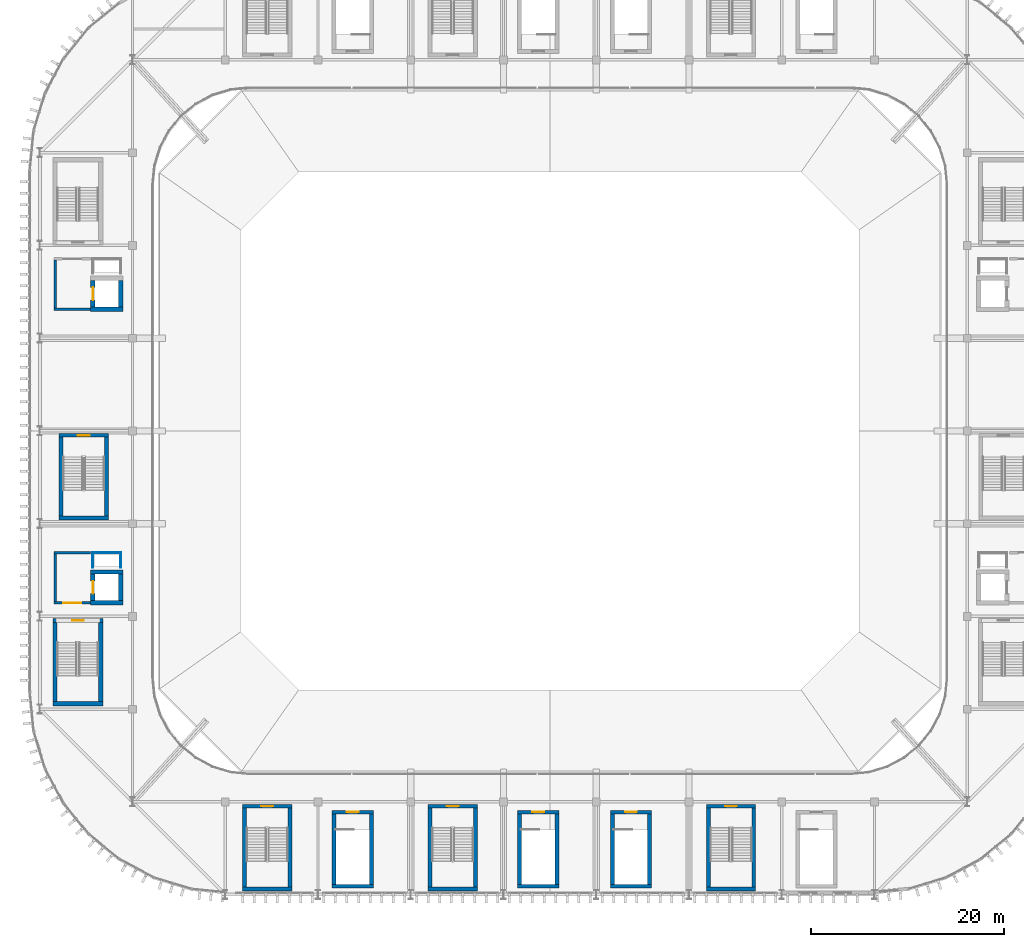
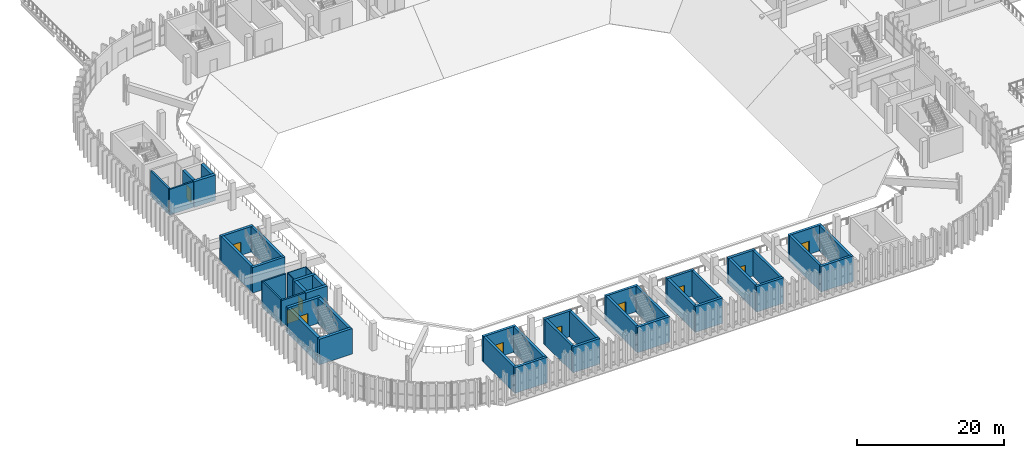
# One storey, part 41 of 69: 47 walls, 11 doors, 11 openings.
"""IFC4 building model written with IfcOpenShell, lengths in metres."""

from ifc_helpers import new_model, si_unit, direction, frame, frame_2d, origin, place, context, subcontext, project, spatial, rectangle, extrude, material, layer, layer_set, type_object, element, fill, save


model = new_model("IFC4")

# Units and contexts
model_context = context("Model", 3, precision=1e-05, world=origin(), true_north=direction((0.0, 1.0)))
body_context = subcontext(model_context, "Body", "Model", "MODEL_VIEW")
ifc_project = project(units=[si_unit("LENGTHUNIT", "METRE"), si_unit("AREAUNIT", "SQUARE_METRE"), si_unit("VOLUMEUNIT", "CUBIC_METRE"), si_unit("PLANEANGLEUNIT", "RADIAN"), si_unit("MASSUNIT", "GRAM", prefix="KILO")], contexts=[model_context])

# Site, building, storey
site_placement = place(None, origin())
site = spatial("IfcSite", under=ifc_project, at=site_placement, CompositionType="ELEMENT")
building_placement = place(site_placement, origin())
building = spatial("IfcBuilding", under=site, at=building_placement, Name="Caelomonte Colonnade Arena", CompositionType="ELEMENT")
storey_placement = place(building_placement, frame((0.0, 0.0, 18.60009765625)))
storey = spatial("IfcBuildingStorey", under=building, at=storey_placement, Name="L04", CompositionType="ELEMENT", Elevation=18.60009765625)

# Wall, opening, door
ifc_material_1 = material(Name="Concrete C40/50", Category="concrete")
ifc_layer_1 = layer(ifc_material_1, 0.260009765625)
ifc_layer_set_1 = layer_set([ifc_layer_1], Name="Concrete C40/50")
wall_type_1 = type_object("IfcWallType", Name="INT-WL-FW26", PredefinedType="SOLIDWALL", material=ifc_layer_set_1)
wall_1_placement = place(storey_placement, frame((59.070068359375, 49.39990234375, 0.0), z_axis=(0.0, 0.0, 1.0), x_axis=(1.0, 0.0, 0.0)))
wall_1 = element("IfcWall", 1, at=wall_1_placement, inside=storey, type_object=wall_type_1, Name="FW-C1-LB L04 south enclosure wall", PredefinedType="SOLIDWALL", context=body_context, shape_type="SweptSolid", body=[
    extrude(rectangle(XDim=3.760009765625, YDim=0.260009765625, at=frame_2d((1.8798828125, 0.0))), origin(), (0.0, 0.0, 1.0), 4.239990234375),
])
opening_1_placement = place(wall_1_placement, frame((2.80517578125, 0.0, 0.0), z_axis=(0.0, 0.0, 1.0), x_axis=(-1.0, 0.0, 0.0)))
opening_1 = element("IfcOpeningElement", 2, at=opening_1_placement, cuts=wall_1, Name="Opening FD-2", PredefinedType="OPENING", context=body_context, shape_type="SweptSolid", body=[
    extrude(rectangle(XDim=1.85009765625, YDim=2.25, at=frame_2d((0.925048828125, 1.125))), frame((0.0, 0.139892578125, 0.0), z_axis=(0.0, -1.0, 0.0), x_axis=(1.0, 0.0, 0.0)), (0.0, 0.0, 1.0), 0.280029296875),
])
ifc_material_2 = material(Name="Fire-rated double steel door", Category="steel")
door_type_1 = type_object("IfcDoorType", Name="INT-DR-FD90B", OperationType="DOUBLE_DOOR_SINGLE_SWING", PredefinedType="DOOR", material=ifc_material_2)
door_1_placement = place(opening_1_placement, origin())
door_1 = element("IfcDoor", 3, at=door_1_placement, inside=storey, type_object=door_type_1, Name="Core C1 L04 lobby fire door", OperationType="DOUBLE_DOOR_SINGLE_SWING", OverallHeight=2.25, OverallWidth=1.85009765625, PredefinedType="DOOR", context=body_context, shape_type="SweptSolid", body=[
    extrude(rectangle(XDim=1.85009765625, YDim=2.25, at=frame_2d((0.925048828125, 1.125))), frame((0.0, 0.02490234375, 0.0), z_axis=(0.0, -1.0, 0.0), x_axis=(1.0, 0.0, 0.0)), (0.0, 0.0, 1.0), 0.050048828125),
])
fill(opening_1, door_1)

# Walls
wall_2_placement = place(storey_placement, frame((62.830078125, 54.60009765625, 0.0), z_axis=(0.0, 0.0, 1.0), x_axis=(-1.0, 0.0, 0.0)))
element("IfcWall", 4, at=wall_2_placement, inside=storey, type_object=wall_type_1, Name="FW-C1-LB L04 north enclosure wall", PredefinedType="SOLIDWALL", context=body_context, shape_type="SweptSolid", body=[
    extrude(rectangle(XDim=3.760009765625, YDim=0.260009765625, at=frame_2d((1.8798828125, 0.0))), origin(), (0.0, 0.0, 1.0), 4.239990234375),
])
wall_3_placement = place(storey_placement, frame((59.199951171875, 54.469970703125, 0.0), z_axis=(0.0, 0.0, 1.0), x_axis=(0.0, -1.0, 0.0)))
element("IfcWall", 5, at=wall_3_placement, inside=storey, type_object=wall_type_1, Name="FW-C1-LB L04 west enclosure wall", PredefinedType="SOLIDWALL", context=body_context, shape_type="SweptSolid", body=[
    extrude(rectangle(XDim=4.93994140625, YDim=0.260009765625, at=frame_2d((2.469970703125, 0.0))), origin(), (0.0, 0.0, 1.0), 4.239990234375),
])
wall_4_placement = place(storey_placement, frame((59.070068359375, 79.800048828125, 0.0), z_axis=(0.0, 0.0, 1.0), x_axis=(1.0, 0.0, 0.0)))
element("IfcWall", 6, at=wall_4_placement, inside=storey, type_object=wall_type_1, Name="FW-C4-LB L04 south enclosure wall", PredefinedType="SOLIDWALL", context=body_context, shape_type="SweptSolid", body=[
    extrude(rectangle(XDim=3.760009765625, YDim=0.260009765625, at=frame_2d((1.8798828125, 0.0))), origin(), (0.0, 0.0, 1.0), 4.239990234375),
])
wall_5_placement = place(storey_placement, frame((59.199951171875, 84.8701171875, 0.0), z_axis=(0.0, 0.0, 1.0), x_axis=(0.0, -1.0, 0.0)))
element("IfcWall", 7, at=wall_5_placement, inside=storey, type_object=wall_type_1, Name="FW-C4-LB L04 west enclosure wall", PredefinedType="SOLIDWALL", context=body_context, shape_type="SweptSolid", body=[
    extrude(rectangle(XDim=4.940185546875, YDim=0.260009765625, at=frame_2d((2.47021484375, 0.0))), origin(), (0.0, 0.0, 1.0), 4.239990234375),
])
ifc_material_3 = material(Name="Service shaft lining partition")
ifc_layer_2 = layer(ifc_material_3, 0.10009765625)
ifc_layer_set_2 = layer_set([ifc_layer_2], Name="Service shaft lining partition")
wall_type_2 = type_object("IfcWallType", Name="INT-WL-PT10", PredefinedType="PARTITIONING", material=ifc_layer_set_2)
wall_6_placement = place(storey_placement, frame((66.050048828125, 54.60009765625, 0.0), z_axis=(0.0, 0.0, 1.0), x_axis=(-1.0, 0.0, 0.0)))
element("IfcWall", 8, at=wall_6_placement, inside=storey, type_object=wall_type_2, Name="FW-C1-RS L04 north enclosure wall", PredefinedType="PARTITIONING", context=body_context, shape_type="SweptSolid", body=[
    extrude(rectangle(XDim=3.0, YDim=0.10009765625, at=frame_2d((1.5, 0.0))), origin(), (0.0, 0.0, 1.0), 4.239990234375),
])
for number, where, z_axis, x_axis, name in (
    (9, (63.10009765625, 54.550048828125, 0.0), (0.0, 0.0, 1.0), (0.0, -1.0, 0.0), "FW-C1-RS L04 west enclosure wall"),
    (10, (66.0, 53.050048828125, 0.0), (0.0, 0.0, 1.0), (0.0, 1.0, 0.0), "FW-C1-RS L04 east enclosure wall"),
):
    element("IfcWall", number, at=place(storey_placement, frame(where, z_axis=z_axis, x_axis=x_axis)), inside=storey, type_object=wall_type_2, Name=name, PredefinedType="PARTITIONING", context=body_context, shape_type="SweptSolid", body=[
        extrude(rectangle(XDim=1.5, YDim=0.10009765625, at=frame_2d((0.75, 0.0))), origin(), (0.0, 0.0, 1.0), 4.239990234375),
    ])
ifc_material_4 = material(Name="Concrete C50/60", Category="concrete")
ifc_layer_3 = layer(ifc_material_4, 0.39990234375)
ifc_layer_set_3 = layer_set([ifc_layer_3], Name="Concrete C50/60")
wall_type_3 = type_object("IfcWallType", Name="INT-WL-SH40", PredefinedType="SHEAR", material=ifc_layer_set_3)
wall_7_placement = place(storey_placement, frame((59.60009765625, 58.199951171875, 0.0), z_axis=(0.0, 0.0, 1.0), x_axis=(1.0, 0.0, 0.0)))
element("IfcWall", 11, at=wall_7_placement, inside=storey, type_object=wall_type_3, Name="CW-ST-09 L04 south enclosure wall", PredefinedType="SHEAR", context=body_context, shape_type="SweptSolid", body=[
    extrude(rectangle(XDim=5.099853515625, YDim=0.39990234375, at=frame_2d((2.5498046875, 0.0))), origin(), (0.0, 0.0, 1.0), 4.239990234375),
])

# Wall, opening, door
wall_8_placement = place(storey_placement, frame((64.699951171875, 66.75, 0.0), z_axis=(0.0, 0.0, 1.0), x_axis=(-1.0, 0.0, 0.0)))
wall_8 = element("IfcWall", 12, at=wall_8_placement, inside=storey, type_object=wall_type_3, Name="CW-ST-09 L04 north enclosure wall", PredefinedType="SHEAR", context=body_context, shape_type="SweptSolid", body=[
    extrude(rectangle(XDim=5.099853515625, YDim=0.39990234375, at=frame_2d((2.5498046875, 0.0))), origin(), (0.0, 0.0, 1.0), 4.239990234375),
])
opening_2_placement = place(wall_8_placement, frame((3.14990234375, 0.0, 0.0), z_axis=(0.0, 0.0, 1.0), x_axis=(-1.0, 0.0, 0.0)))
opening_2 = element("IfcOpeningElement", 13, at=opening_2_placement, cuts=wall_8, Name="Opening FD-1", PredefinedType="OPENING", context=body_context, shape_type="SweptSolid", body=[
    extrude(rectangle(XDim=1.199951171875, YDim=2.199951171875, at=frame_2d((0.60009765625, 1.10009765625))), frame((0.0, 0.2099609375, 0.0), z_axis=(0.0, -1.0, 0.0), x_axis=(1.0, 0.0, 0.0)), (0.0, 0.0, 1.0), 0.419921875),
])
ifc_material_5 = material(Name="Fire-rated steel door", Category="steel")
door_type_2 = type_object("IfcDoorType", Name="INT-DR-FD90A", OperationType="NOTDEFINED", PredefinedType="DOOR", material=ifc_material_5)
door_2_placement = place(opening_2_placement, origin())
door_2 = element("IfcDoor", 14, at=door_2_placement, inside=storey, type_object=door_type_2, Name="Protected exit stair ST-09 L04 fire door", OperationType="SINGLE_SWING_LEFT", OverallHeight=2.199951171875, OverallWidth=1.199951171875, PredefinedType="DOOR", context=body_context, shape_type="SweptSolid", body=[
    extrude(rectangle(XDim=1.199951171875, YDim=2.199951171875, at=frame_2d((0.60009765625, 1.10009765625))), frame((0.0, 0.02490234375, 0.0), z_axis=(0.0, -1.0, 0.0), x_axis=(1.0, 0.0, 0.0)), (0.0, 0.0, 1.0), 0.050048828125),
])
fill(opening_2, door_2)

# Walls
for number, where, z_axis, x_axis, name in (
    (15, (59.800048828125, 66.550048828125, 0.0), (0.0, 0.0, 1.0), (0.0, -1.0, 0.0), "CW-ST-09 L04 west enclosure wall"),
    (16, (64.5, 58.39990234375, 0.0), (0.0, 0.0, 1.0), (0.0, 1.0, 0.0), "CW-ST-09 L04 east enclosure wall"),
):
    element("IfcWall", number, at=place(storey_placement, frame(where, z_axis=z_axis, x_axis=x_axis)), inside=storey, type_object=wall_type_3, Name=name, PredefinedType="SHEAR", context=body_context, shape_type="SweptSolid", body=[
        extrude(rectangle(XDim=8.150146484375, YDim=0.39990234375, at=frame_2d((4.0751953125, 0.0))), origin(), (0.0, 0.0, 1.0), 4.239990234375),
    ])
wall_9_placement = place(storey_placement, frame((78.60009765625, 19.800048828125, 0.0), z_axis=(0.0, 0.0, 1.0), x_axis=(1.0, 0.0, 0.0)))
element("IfcWall", 17, at=wall_9_placement, inside=storey, type_object=wall_type_3, Name="CW-ST-11 L04 south enclosure wall", PredefinedType="SHEAR", context=body_context, shape_type="SweptSolid", body=[
    extrude(rectangle(XDim=5.099853515625, YDim=0.39990234375, at=frame_2d((2.5498046875, 0.0))), origin(), (0.0, 0.0, 1.0), 4.239990234375),
])

# Wall, opening, door
wall_10_placement = place(storey_placement, frame((83.699951171875, 28.35009765625, 0.0), z_axis=(0.0, 0.0, 1.0), x_axis=(-1.0, 0.0, 0.0)))
wall_10 = element("IfcWall", 18, at=wall_10_placement, inside=storey, type_object=wall_type_3, Name="CW-ST-11 L04 north enclosure wall", PredefinedType="SHEAR", context=body_context, shape_type="SweptSolid", body=[
    extrude(rectangle(XDim=5.099853515625, YDim=0.39990234375, at=frame_2d((2.5498046875, 0.0))), origin(), (0.0, 0.0, 1.0), 4.239990234375),
])
opening_3_placement = place(wall_10_placement, frame((3.14990234375, 0.0, 0.0), z_axis=(0.0, 0.0, 1.0), x_axis=(-1.0, 0.0, 0.0)))
opening_3 = element("IfcOpeningElement", 19, at=opening_3_placement, cuts=wall_10, Name="Opening FD-1", PredefinedType="OPENING", context=body_context, shape_type="SweptSolid", body=[
    extrude(rectangle(XDim=1.199951171875, YDim=2.199951171875, at=frame_2d((0.60009765625, 1.10009765625))), frame((0.0, 0.2099609375, 0.0), z_axis=(0.0, -1.0, 0.0), x_axis=(1.0, 0.0, 0.0)), (0.0, 0.0, 1.0), 0.419921875),
])
door_3_placement = place(opening_3_placement, origin())
door_3 = element("IfcDoor", 20, at=door_3_placement, inside=storey, type_object=door_type_2, Name="Protected exit stair ST-11 L04 fire door", OperationType="SINGLE_SWING_LEFT", OverallHeight=2.199951171875, OverallWidth=1.199951171875, PredefinedType="DOOR", context=body_context, shape_type="SweptSolid", body=[
    extrude(rectangle(XDim=1.199951171875, YDim=2.199951171875, at=frame_2d((0.60009765625, 1.10009765625))), frame((0.0, 0.02490234375, 0.0), z_axis=(0.0, -1.0, 0.0), x_axis=(1.0, 0.0, 0.0)), (0.0, 0.0, 1.0), 0.050048828125),
])
fill(opening_3, door_3)

# Walls
for number, where, z_axis, x_axis, name in (
    (21, (78.800048828125, 28.14990234375, 0.0), (0.0, 0.0, 1.0), (0.0, -1.0, 0.0), "CW-ST-11 L04 west enclosure wall"),
    (22, (83.5, 20.0, 0.0), (0.0, 0.0, 1.0), (0.0, 1.0, 0.0), "CW-ST-11 L04 east enclosure wall"),
):
    element("IfcWall", number, at=place(storey_placement, frame(where, z_axis=z_axis, x_axis=x_axis)), inside=storey, type_object=wall_type_3, Name=name, PredefinedType="SHEAR", context=body_context, shape_type="SweptSolid", body=[
        extrude(rectangle(XDim=8.14990234375, YDim=0.39990234375, at=frame_2d((4.074951171875, 0.0))), origin(), (0.0, 0.0, 1.0), 4.239990234375),
    ])
wall_11_placement = place(storey_placement, frame((97.800048828125, 19.800048828125, 0.0), z_axis=(0.0, 0.0, 1.0), x_axis=(1.0, 0.0, 0.0)))
element("IfcWall", 23, at=wall_11_placement, inside=storey, type_object=wall_type_3, Name="CW-ST-12 L04 south enclosure wall", PredefinedType="SHEAR", context=body_context, shape_type="SweptSolid", body=[
    extrude(rectangle(XDim=5.099853515625, YDim=0.39990234375, at=frame_2d((2.5498046875, 0.0))), origin(), (0.0, 0.0, 1.0), 4.239990234375),
])

# Wall, opening, door
wall_12_placement = place(storey_placement, frame((102.89990234375, 28.35009765625, 0.0), z_axis=(0.0, 0.0, 1.0), x_axis=(-1.0, 0.0, 0.0)))
wall_12 = element("IfcWall", 24, at=wall_12_placement, inside=storey, type_object=wall_type_3, Name="CW-ST-12 L04 north enclosure wall", PredefinedType="SHEAR", context=body_context, shape_type="SweptSolid", body=[
    extrude(rectangle(XDim=5.099853515625, YDim=0.39990234375, at=frame_2d((2.5498046875, 0.0))), origin(), (0.0, 0.0, 1.0), 4.239990234375),
])
opening_4_placement = place(wall_12_placement, frame((3.14990234375, 0.0, 0.0), z_axis=(0.0, 0.0, 1.0), x_axis=(-1.0, 0.0, 0.0)))
opening_4 = element("IfcOpeningElement", 25, at=opening_4_placement, cuts=wall_12, Name="Opening FD-1", PredefinedType="OPENING", context=body_context, shape_type="SweptSolid", body=[
    extrude(rectangle(XDim=1.199951171875, YDim=2.199951171875, at=frame_2d((0.60009765625, 1.10009765625))), frame((0.0, 0.2099609375, 0.0), z_axis=(0.0, -1.0, 0.0), x_axis=(1.0, 0.0, 0.0)), (0.0, 0.0, 1.0), 0.419921875),
])
door_4_placement = place(opening_4_placement, origin())
door_4 = element("IfcDoor", 26, at=door_4_placement, inside=storey, type_object=door_type_2, Name="Protected exit stair ST-12 L04 fire door", OperationType="SINGLE_SWING_RIGHT", OverallHeight=2.199951171875, OverallWidth=1.199951171875, PredefinedType="DOOR", context=body_context, shape_type="SweptSolid", body=[
    extrude(rectangle(XDim=1.199951171875, YDim=2.199951171875, at=frame_2d((0.60009765625, 1.10009765625))), frame((0.0, 0.02490234375, 0.0), z_axis=(0.0, -1.0, 0.0), x_axis=(1.0, 0.0, 0.0)), (0.0, 0.0, 1.0), 0.050048828125),
])
fill(opening_4, door_4)

# Walls
for number, where, z_axis, x_axis, name in (
    (27, (98.0, 28.14990234375, 0.0), (0.0, 0.0, 1.0), (0.0, -1.0, 0.0), "CW-ST-12 L04 west enclosure wall"),
    (28, (102.699951171875, 20.0, 0.0), (0.0, 0.0, 1.0), (0.0, 1.0, 0.0), "CW-ST-12 L04 east enclosure wall"),
):
    element("IfcWall", number, at=place(storey_placement, frame(where, z_axis=z_axis, x_axis=x_axis)), inside=storey, type_object=wall_type_3, Name=name, PredefinedType="SHEAR", context=body_context, shape_type="SweptSolid", body=[
        extrude(rectangle(XDim=8.14990234375, YDim=0.39990234375, at=frame_2d((4.074951171875, 0.0))), origin(), (0.0, 0.0, 1.0), 4.239990234375),
    ])
wall_13_placement = place(storey_placement, frame((126.60009765625, 19.800048828125, 0.0), z_axis=(0.0, 0.0, 1.0), x_axis=(1.0, 0.0, 0.0)))
element("IfcWall", 29, at=wall_13_placement, inside=storey, type_object=wall_type_3, Name="CW-ST-13 L04 south enclosure wall", PredefinedType="SHEAR", context=body_context, shape_type="SweptSolid", body=[
    extrude(rectangle(XDim=5.099853515625, YDim=0.39990234375, at=frame_2d((2.5498046875, 0.0))), origin(), (0.0, 0.0, 1.0), 4.239990234375),
])

# Wall, opening, door
wall_14_placement = place(storey_placement, frame((131.699951171875, 28.35009765625, 0.0), z_axis=(0.0, 0.0, 1.0), x_axis=(-1.0, 0.0, 0.0)))
wall_14 = element("IfcWall", 30, at=wall_14_placement, inside=storey, type_object=wall_type_3, Name="CW-ST-13 L04 north enclosure wall", PredefinedType="SHEAR", context=body_context, shape_type="SweptSolid", body=[
    extrude(rectangle(XDim=5.099853515625, YDim=0.39990234375, at=frame_2d((2.5498046875, 0.0))), origin(), (0.0, 0.0, 1.0), 4.239990234375),
])
opening_5_placement = place(wall_14_placement, frame((3.14990234375, 0.0, 0.0), z_axis=(0.0, 0.0, 1.0), x_axis=(-1.0, 0.0, 0.0)))
opening_5 = element("IfcOpeningElement", 31, at=opening_5_placement, cuts=wall_14, Name="Opening FD-1", PredefinedType="OPENING", context=body_context, shape_type="SweptSolid", body=[
    extrude(rectangle(XDim=1.199951171875, YDim=2.199951171875, at=frame_2d((0.60009765625, 1.10009765625))), frame((0.0, 0.2099609375, 0.0), z_axis=(0.0, -1.0, 0.0), x_axis=(1.0, 0.0, 0.0)), (0.0, 0.0, 1.0), 0.419921875),
])
door_5_placement = place(opening_5_placement, origin())
door_5 = element("IfcDoor", 32, at=door_5_placement, inside=storey, type_object=door_type_2, Name="Protected exit stair ST-13 L04 fire door", OperationType="SINGLE_SWING_LEFT", OverallHeight=2.199951171875, OverallWidth=1.199951171875, PredefinedType="DOOR", context=body_context, shape_type="SweptSolid", body=[
    extrude(rectangle(XDim=1.199951171875, YDim=2.199951171875, at=frame_2d((0.60009765625, 1.10009765625))), frame((0.0, 0.02490234375, 0.0), z_axis=(0.0, -1.0, 0.0), x_axis=(1.0, 0.0, 0.0)), (0.0, 0.0, 1.0), 0.050048828125),
])
fill(opening_5, door_5)

# Walls
for number, where, z_axis, x_axis, name in (
    (33, (126.800048828125, 28.14990234375, 0.0), (0.0, 0.0, 1.0), (0.0, -1.0, 0.0), "CW-ST-13 L04 west enclosure wall"),
    (34, (131.5, 20.0, 0.0), (0.0, 0.0, 1.0), (0.0, 1.0, 0.0), "CW-ST-13 L04 east enclosure wall"),
):
    element("IfcWall", number, at=place(storey_placement, frame(where, z_axis=z_axis, x_axis=x_axis)), inside=storey, type_object=wall_type_3, Name=name, PredefinedType="SHEAR", context=body_context, shape_type="SweptSolid", body=[
        extrude(rectangle(XDim=8.14990234375, YDim=0.39990234375, at=frame_2d((4.074951171875, 0.0))), origin(), (0.0, 0.0, 1.0), 4.239990234375),
    ])
wall_15_placement = place(storey_placement, frame((87.8701171875, 20.070068359375, 0.0), z_axis=(0.0, 0.0, 1.0), x_axis=(1.0, 0.0, 0.0)))
element("IfcWall", 35, at=wall_15_placement, inside=storey, type_object=wall_type_3, Name="CW-ST-V09 L04 south enclosure wall", PredefinedType="SHEAR", context=body_context, shape_type="SweptSolid", body=[
    extrude(rectangle(XDim=4.259765625, YDim=0.39990234375, at=frame_2d((2.1298828125, 0.0))), origin(), (0.0, 0.0, 1.0), 4.239990234375),
])

# Wall, opening, door
wall_16_placement = place(storey_placement, frame((92.1298828125, 27.72998046875, 0.0), z_axis=(0.0, 0.0, 1.0), x_axis=(-1.0, 0.0, 0.0)))
wall_16 = element("IfcWall", 36, at=wall_16_placement, inside=storey, type_object=wall_type_3, Name="CW-ST-V09 L04 north enclosure wall", PredefinedType="SHEAR", context=body_context, shape_type="SweptSolid", body=[
    extrude(rectangle(XDim=4.259765625, YDim=0.39990234375, at=frame_2d((2.1298828125, 0.0))), origin(), (0.0, 0.0, 1.0), 4.239990234375),
])
opening_6_placement = place(wall_16_placement, frame((2.72998046875, 0.0, 0.0), z_axis=(0.0, 0.0, 1.0), x_axis=(-1.0, 0.0, 0.0)))
opening_6 = element("IfcOpeningElement", 37, at=opening_6_placement, cuts=wall_16, Name="Opening FD-1", PredefinedType="OPENING", context=body_context, shape_type="SweptSolid", body=[
    extrude(rectangle(XDim=1.199951171875, YDim=2.199951171875, at=frame_2d((0.60009765625, 1.10009765625))), frame((0.0, 0.2099609375, 0.0), z_axis=(0.0, -1.0, 0.0), x_axis=(1.0, 0.0, 0.0)), (0.0, 0.0, 1.0), 0.419921875),
])
door_6_placement = place(opening_6_placement, origin())
door_6 = element("IfcDoor", 38, at=door_6_placement, inside=storey, type_object=door_type_2, Name="Vomitory VOM-09 stair ST-V09 L04 portal door", OperationType="SINGLE_SWING_LEFT", OverallHeight=2.199951171875, OverallWidth=1.199951171875, PredefinedType="DOOR", context=body_context, shape_type="SweptSolid", body=[
    extrude(rectangle(XDim=1.199951171875, YDim=2.199951171875, at=frame_2d((0.60009765625, 1.10009765625))), frame((0.0, 0.02490234375, 0.0), z_axis=(0.0, -1.0, 0.0), x_axis=(1.0, 0.0, 0.0)), (0.0, 0.0, 1.0), 0.050048828125),
])
fill(opening_6, door_6)

# Walls
for number, where, z_axis, x_axis, name in (
    (39, (88.070068359375, 27.530029296875, 0.0), (0.0, 0.0, 1.0), (0.0, -1.0, 0.0), "CW-ST-V09 L04 west enclosure wall"),
    (40, (91.929931640625, 20.27001953125, 0.0), (0.0, 0.0, 1.0), (0.0, 1.0, 0.0), "CW-ST-V09 L04 east enclosure wall"),
):
    element("IfcWall", number, at=place(storey_placement, frame(where, z_axis=z_axis, x_axis=x_axis)), inside=storey, type_object=wall_type_3, Name=name, PredefinedType="SHEAR", context=body_context, shape_type="SweptSolid", body=[
        extrude(rectangle(XDim=7.260009765625, YDim=0.39990234375, at=frame_2d((3.6298828125, 0.0))), origin(), (0.0, 0.0, 1.0), 4.239990234375),
    ])
wall_17_placement = place(storey_placement, frame((107.070068359375, 20.070068359375, 0.0), z_axis=(0.0, 0.0, 1.0), x_axis=(1.0, 0.0, 0.0)))
element("IfcWall", 41, at=wall_17_placement, inside=storey, type_object=wall_type_3, Name="CW-ST-V10 L04 south enclosure wall", PredefinedType="SHEAR", context=body_context, shape_type="SweptSolid", body=[
    extrude(rectangle(XDim=4.260009765625, YDim=0.39990234375, at=frame_2d((2.1298828125, 0.0))), origin(), (0.0, 0.0, 1.0), 4.239990234375),
])

# Wall, opening, door
wall_18_placement = place(storey_placement, frame((111.330078125, 27.72998046875, 0.0), z_axis=(0.0, 0.0, 1.0), x_axis=(-1.0, 0.0, 0.0)))
wall_18 = element("IfcWall", 42, at=wall_18_placement, inside=storey, type_object=wall_type_3, Name="CW-ST-V10 L04 north enclosure wall", PredefinedType="SHEAR", context=body_context, shape_type="SweptSolid", body=[
    extrude(rectangle(XDim=4.260009765625, YDim=0.39990234375, at=frame_2d((2.1298828125, 0.0))), origin(), (0.0, 0.0, 1.0), 4.239990234375),
])
opening_7_placement = place(wall_18_placement, frame((2.72998046875, 0.0, 0.0), z_axis=(0.0, 0.0, 1.0), x_axis=(-1.0, 0.0, 0.0)))
opening_7 = element("IfcOpeningElement", 43, at=opening_7_placement, cuts=wall_18, Name="Opening FD-1", PredefinedType="OPENING", context=body_context, shape_type="SweptSolid", body=[
    extrude(rectangle(XDim=1.199951171875, YDim=2.199951171875, at=frame_2d((0.60009765625, 1.10009765625))), frame((0.0, 0.2099609375, 0.0), z_axis=(0.0, -1.0, 0.0), x_axis=(1.0, 0.0, 0.0)), (0.0, 0.0, 1.0), 0.419921875),
])
door_7_placement = place(opening_7_placement, origin())
door_7 = element("IfcDoor", 44, at=door_7_placement, inside=storey, type_object=door_type_2, Name="Vomitory VOM-10 stair ST-V10 L04 portal door", OperationType="SINGLE_SWING_LEFT", OverallHeight=2.199951171875, OverallWidth=1.199951171875, PredefinedType="DOOR", context=body_context, shape_type="SweptSolid", body=[
    extrude(rectangle(XDim=1.199951171875, YDim=2.199951171875, at=frame_2d((0.60009765625, 1.10009765625))), frame((0.0, 0.02490234375, 0.0), z_axis=(0.0, -1.0, 0.0), x_axis=(1.0, 0.0, 0.0)), (0.0, 0.0, 1.0), 0.050048828125),
])
fill(opening_7, door_7)

# Walls
for number, where, z_axis, x_axis, name in (
    (45, (107.27001953125, 27.530029296875, 0.0), (0.0, 0.0, 1.0), (0.0, -1.0, 0.0), "CW-ST-V10 L04 west enclosure wall"),
    (46, (111.1298828125, 20.27001953125, 0.0), (0.0, 0.0, 1.0), (0.0, 1.0, 0.0), "CW-ST-V10 L04 east enclosure wall"),
):
    element("IfcWall", number, at=place(storey_placement, frame(where, z_axis=z_axis, x_axis=x_axis)), inside=storey, type_object=wall_type_3, Name=name, PredefinedType="SHEAR", context=body_context, shape_type="SweptSolid", body=[
        extrude(rectangle(XDim=7.260009765625, YDim=0.39990234375, at=frame_2d((3.6298828125, 0.0))), origin(), (0.0, 0.0, 1.0), 4.239990234375),
    ])
wall_19_placement = place(storey_placement, frame((116.669921875, 20.070068359375, 0.0), z_axis=(0.0, 0.0, 1.0), x_axis=(1.0, 0.0, 0.0)))
element("IfcWall", 47, at=wall_19_placement, inside=storey, type_object=wall_type_3, Name="CW-ST-V11 L04 south enclosure wall", PredefinedType="SHEAR", context=body_context, shape_type="SweptSolid", body=[
    extrude(rectangle(XDim=4.260009765625, YDim=0.39990234375, at=frame_2d((2.1298828125, 0.0))), origin(), (0.0, 0.0, 1.0), 4.239990234375),
])

# Wall, opening, door
wall_20_placement = place(storey_placement, frame((120.929931640625, 27.72998046875, 0.0), z_axis=(0.0, 0.0, 1.0), x_axis=(-1.0, 0.0, 0.0)))
wall_20 = element("IfcWall", 48, at=wall_20_placement, inside=storey, type_object=wall_type_3, Name="CW-ST-V11 L04 north enclosure wall", PredefinedType="SHEAR", context=body_context, shape_type="SweptSolid", body=[
    extrude(rectangle(XDim=4.260009765625, YDim=0.39990234375, at=frame_2d((2.1298828125, 0.0))), origin(), (0.0, 0.0, 1.0), 4.239990234375),
])
opening_8_placement = place(wall_20_placement, frame((2.72998046875, 0.0, 0.0), z_axis=(0.0, 0.0, 1.0), x_axis=(-1.0, 0.0, 0.0)))
opening_8 = element("IfcOpeningElement", 49, at=opening_8_placement, cuts=wall_20, Name="Opening FD-1", PredefinedType="OPENING", context=body_context, shape_type="SweptSolid", body=[
    extrude(rectangle(XDim=1.199951171875, YDim=2.199951171875, at=frame_2d((0.60009765625, 1.10009765625))), frame((0.0, 0.2099609375, 0.0), z_axis=(0.0, -1.0, 0.0), x_axis=(1.0, 0.0, 0.0)), (0.0, 0.0, 1.0), 0.419921875),
])
door_8_placement = place(opening_8_placement, origin())
door_8 = element("IfcDoor", 50, at=door_8_placement, inside=storey, type_object=door_type_2, Name="Vomitory VOM-11 stair ST-V11 L04 portal door", OperationType="SINGLE_SWING_LEFT", OverallHeight=2.199951171875, OverallWidth=1.199951171875, PredefinedType="DOOR", context=body_context, shape_type="SweptSolid", body=[
    extrude(rectangle(XDim=1.199951171875, YDim=2.199951171875, at=frame_2d((0.60009765625, 1.10009765625))), frame((0.0, 0.02490234375, 0.0), z_axis=(0.0, -1.0, 0.0), x_axis=(1.0, 0.0, 0.0)), (0.0, 0.0, 1.0), 0.050048828125),
])
fill(opening_8, door_8)

# Walls
for number, where, z_axis, x_axis, name in (
    (51, (116.8701171875, 27.530029296875, 0.0), (0.0, 0.0, 1.0), (0.0, -1.0, 0.0), "CW-ST-V11 L04 west enclosure wall"),
    (52, (120.72998046875, 20.27001953125, 0.0), (0.0, 0.0, 1.0), (0.0, 1.0, 0.0), "CW-ST-V11 L04 east enclosure wall"),
):
    element("IfcWall", number, at=place(storey_placement, frame(where, z_axis=z_axis, x_axis=x_axis)), inside=storey, type_object=wall_type_3, Name=name, PredefinedType="SHEAR", context=body_context, shape_type="SweptSolid", body=[
        extrude(rectangle(XDim=7.260009765625, YDim=0.39990234375, at=frame_2d((3.6298828125, 0.0))), origin(), (0.0, 0.0, 1.0), 4.239990234375),
    ])
ifc_layer_4 = layer(ifc_material_4, 0.449951171875)
ifc_layer_set_4 = layer_set([ifc_layer_4], Name="Concrete C50/60")
wall_type_4 = type_object("IfcWallType", Name="INT-WL-SH45", PredefinedType="SHEAR", material=ifc_layer_set_4)
wall_21_placement = place(storey_placement, frame((58.949951171875, 38.97509765625, 0.0), z_axis=(0.0, 0.0, 1.0), x_axis=(1.0, 0.0, 0.0)))
element("IfcWall", 53, at=wall_21_placement, inside=storey, type_object=wall_type_4, Name="CW-C1-ST L04 south enclosure wall", PredefinedType="SHEAR", context=body_context, shape_type="SweptSolid", body=[
    extrude(rectangle(XDim=5.199951171875, YDim=0.449951171875, at=frame_2d((2.60009765625, 0.0))), origin(), (0.0, 0.0, 1.0), 4.239990234375),
])

# Wall, opening, door
wall_22_placement = place(storey_placement, frame((64.14990234375, 47.574951171875, 0.0), z_axis=(0.0, 0.0, 1.0), x_axis=(-1.0, 0.0, 0.0)))
wall_22 = element("IfcWall", 54, at=wall_22_placement, inside=storey, type_object=wall_type_4, Name="CW-C1-ST L04 north enclosure wall", PredefinedType="SHEAR", context=body_context, shape_type="SweptSolid", body=[
    extrude(rectangle(XDim=5.199951171875, YDim=0.449951171875, at=frame_2d((2.60009765625, 0.0))), origin(), (0.0, 0.0, 1.0), 4.239990234375),
])
opening_9_placement = place(wall_22_placement, frame((3.199951171875, 0.0, 0.0), z_axis=(0.0, 0.0, 1.0), x_axis=(-1.0, 0.0, 0.0)))
opening_9 = element("IfcOpeningElement", 55, at=opening_9_placement, cuts=wall_22, Name="Opening FD-1", PredefinedType="OPENING", context=body_context, shape_type="SweptSolid", body=[
    extrude(rectangle(XDim=1.199951171875, YDim=2.199951171875, at=frame_2d((0.60009765625, 1.10009765625))), frame((0.0, 0.23486328125, 0.0), z_axis=(0.0, -1.0, 0.0), x_axis=(1.0, 0.0, 0.0)), (0.0, 0.0, 1.0), 0.469970703125),
])
door_9_placement = place(opening_9_placement, origin())
door_9 = element("IfcDoor", 56, at=door_9_placement, inside=storey, type_object=door_type_2, Name="Core C1 L04 exit stair fire door", OperationType="SINGLE_SWING_LEFT", OverallHeight=2.199951171875, OverallWidth=1.199951171875, PredefinedType="DOOR", context=body_context, shape_type="SweptSolid", body=[
    extrude(rectangle(XDim=1.199951171875, YDim=2.199951171875, at=frame_2d((0.60009765625, 1.10009765625))), frame((0.0, 0.02490234375, 0.0), z_axis=(0.0, -1.0, 0.0), x_axis=(1.0, 0.0, 0.0)), (0.0, 0.0, 1.0), 0.050048828125),
])
fill(opening_9, door_9)

# Walls
for number, where, z_axis, x_axis, name in (
    (57, (59.175048828125, 47.35009765625, 0.0), (0.0, 0.0, 1.0), (0.0, -1.0, 0.0), "CW-C1-ST L04 west enclosure wall"),
    (58, (63.925048828125, 39.199951171875, 0.0), (0.0, 0.0, 1.0), (0.0, 1.0, 0.0), "CW-C1-ST L04 east enclosure wall"),
):
    element("IfcWall", number, at=place(storey_placement, frame(where, z_axis=z_axis, x_axis=x_axis)), inside=storey, type_object=wall_type_4, Name=name, PredefinedType="SHEAR", context=body_context, shape_type="SweptSolid", body=[
        extrude(rectangle(XDim=8.150146484375, YDim=0.449951171875, at=frame_2d((4.0751953125, 0.0))), origin(), (0.0, 0.0, 1.0), 4.239990234375),
    ])
for number, where, z_axis, x_axis, name in (
    (59, (62.875, 49.39990234375, 0.0), (0.0, 0.0, 1.0), (1.0, 0.0, 0.0), "CW-C1-LF L04 south enclosure wall"),
    (60, (66.22509765625, 52.60009765625, 0.0), (0.0, 0.0, 1.0), (-1.0, 0.0, 0.0), "CW-C1-LF L04 north enclosure wall"),
):
    element("IfcWall", number, at=place(storey_placement, frame(where, z_axis=z_axis, x_axis=x_axis)), inside=storey, type_object=wall_type_4, Name=name, PredefinedType="SHEAR", context=body_context, shape_type="SweptSolid", body=[
        extrude(rectangle(XDim=3.35009765625, YDim=0.449951171875, at=frame_2d((1.675048828125, 0.0))), origin(), (0.0, 0.0, 1.0), 4.239990234375),
    ])

# Wall, opening, door
wall_23_placement = place(storey_placement, frame((63.10009765625, 52.375, 0.0), z_axis=(0.0, 0.0, 1.0), x_axis=(0.0, -1.0, 0.0)))
wall_23 = element("IfcWall", 61, at=wall_23_placement, inside=storey, type_object=wall_type_4, Name="CW-C1-LF L04 west enclosure wall", PredefinedType="SHEAR", context=body_context, shape_type="SweptSolid", body=[
    extrude(rectangle(XDim=2.75, YDim=0.449951171875, at=frame_2d((1.375, 0.0))), origin(), (0.0, 0.0, 1.0), 4.239990234375),
])
opening_10_placement = place(wall_23_placement, frame((0.72509765625, 0.0, 0.0), z_axis=(0.0, 0.0, 1.0), x_axis=(1.0, 0.0, 0.0)))
opening_10 = element("IfcOpeningElement", 62, at=opening_10_placement, cuts=wall_23, Name="Opening LD-FL-01-L04", PredefinedType="OPENING", context=body_context, shape_type="SweptSolid", body=[
    extrude(rectangle(XDim=1.300048828125, YDim=2.25, at=frame_2d((0.64990234375, 1.125))), frame((0.0, 0.23486328125, 0.0), z_axis=(0.0, -1.0, 0.0), x_axis=(1.0, 0.0, 0.0)), (0.0, 0.0, 1.0), 0.469970703125),
])
ifc_material_6 = material(Name="Firefighting lift landing door")
door_type_3 = type_object("IfcDoorType", Name="INT-DR-LD2", OperationType="SLIDING_TO_RIGHT", PredefinedType="DOOR", material=ifc_material_6)
door_10_placement = place(opening_10_placement, origin())
door_10 = element("IfcDoor", 63, at=door_10_placement, inside=storey, type_object=door_type_3, Name="Lift FL-01 L04 sliding landing door", OperationType="SLIDING_TO_RIGHT", OverallHeight=2.25, OverallWidth=1.300048828125, PredefinedType="DOOR", context=body_context, shape_type="SweptSolid", body=[
    extrude(rectangle(XDim=1.300048828125, YDim=2.25, at=frame_2d((0.64990234375, 1.125))), frame((0.0, 0.02490234375, 0.0), z_axis=(0.0, -1.0, 0.0), x_axis=(1.0, 0.0, 0.0)), (0.0, 0.0, 1.0), 0.050048828125),
])
fill(opening_10, door_10)

# Walls
wall_24_placement = place(storey_placement, frame((66.0, 49.625, 0.0), z_axis=(0.0, 0.0, 1.0), x_axis=(0.0, 1.0, 0.0)))
element("IfcWall", 64, at=wall_24_placement, inside=storey, type_object=wall_type_4, Name="CW-C1-LF L04 east enclosure wall", PredefinedType="SHEAR", context=body_context, shape_type="SweptSolid", body=[
    extrude(rectangle(XDim=2.75, YDim=0.449951171875, at=frame_2d((1.375, 0.0))), origin(), (0.0, 0.0, 1.0), 4.239990234375),
])
wall_25_placement = place(storey_placement, frame((62.875, 79.800048828125, 0.0), z_axis=(0.0, 0.0, 1.0), x_axis=(1.0, 0.0, 0.0)))
element("IfcWall", 65, at=wall_25_placement, inside=storey, type_object=wall_type_4, Name="CW-C4-LF L04 south enclosure wall", PredefinedType="SHEAR", context=body_context, shape_type="SweptSolid", body=[
    extrude(rectangle(XDim=3.35009765625, YDim=0.449951171875, at=frame_2d((1.675048828125, 0.0))), origin(), (0.0, 0.0, 1.0), 4.239990234375),
])

# Wall, opening, door
wall_26_placement = place(storey_placement, frame((63.10009765625, 82.77490234375, 0.0), z_axis=(0.0, 0.0, 1.0), x_axis=(0.0, -1.0, 0.0)))
wall_26 = element("IfcWall", 66, at=wall_26_placement, inside=storey, type_object=wall_type_4, Name="CW-C4-LF L04 west enclosure wall", PredefinedType="SHEAR", context=body_context, shape_type="SweptSolid", body=[
    extrude(rectangle(XDim=2.75, YDim=0.449951171875, at=frame_2d((1.375, 0.0))), origin(), (0.0, 0.0, 1.0), 4.239990234375),
])
opening_11_placement = place(wall_26_placement, frame((0.72509765625, 0.0, 0.0), z_axis=(0.0, 0.0, 1.0), x_axis=(1.0, 0.0, 0.0)))
opening_11 = element("IfcOpeningElement", 67, at=opening_11_placement, cuts=wall_26, Name="Opening LD-FL-04-L04", PredefinedType="OPENING", context=body_context, shape_type="SweptSolid", body=[
    extrude(rectangle(XDim=1.300048828125, YDim=2.25, at=frame_2d((0.64990234375, 1.125))), frame((0.0, 0.23486328125, 0.0), z_axis=(0.0, -1.0, 0.0), x_axis=(1.0, 0.0, 0.0)), (0.0, 0.0, 1.0), 0.469970703125),
])
door_11_placement = place(opening_11_placement, origin())
door_11 = element("IfcDoor", 68, at=door_11_placement, inside=storey, type_object=door_type_3, Name="Lift FL-04 L04 sliding landing door", OperationType="SLIDING_TO_RIGHT", OverallHeight=2.25, OverallWidth=1.300048828125, PredefinedType="DOOR", context=body_context, shape_type="SweptSolid", body=[
    extrude(rectangle(XDim=1.300048828125, YDim=2.25, at=frame_2d((0.64990234375, 1.125))), frame((0.0, 0.02490234375, 0.0), z_axis=(0.0, -1.0, 0.0), x_axis=(1.0, 0.0, 0.0)), (0.0, 0.0, 1.0), 0.050048828125),
])
fill(opening_11, door_11)

# Wall
wall_27_placement = place(storey_placement, frame((66.0, 80.02490234375, 0.0), z_axis=(0.0, 0.0, 1.0), x_axis=(0.0, 1.0, 0.0)))
element("IfcWall", 69, at=wall_27_placement, inside=storey, type_object=wall_type_4, Name="CW-C4-LF L04 east enclosure wall", PredefinedType="SHEAR", context=body_context, shape_type="SweptSolid", body=[
    extrude(rectangle(XDim=2.75, YDim=0.449951171875, at=frame_2d((1.375, 0.0))), origin(), (0.0, 0.0, 1.0), 4.239990234375),
])

save(model, "model.ifc")
